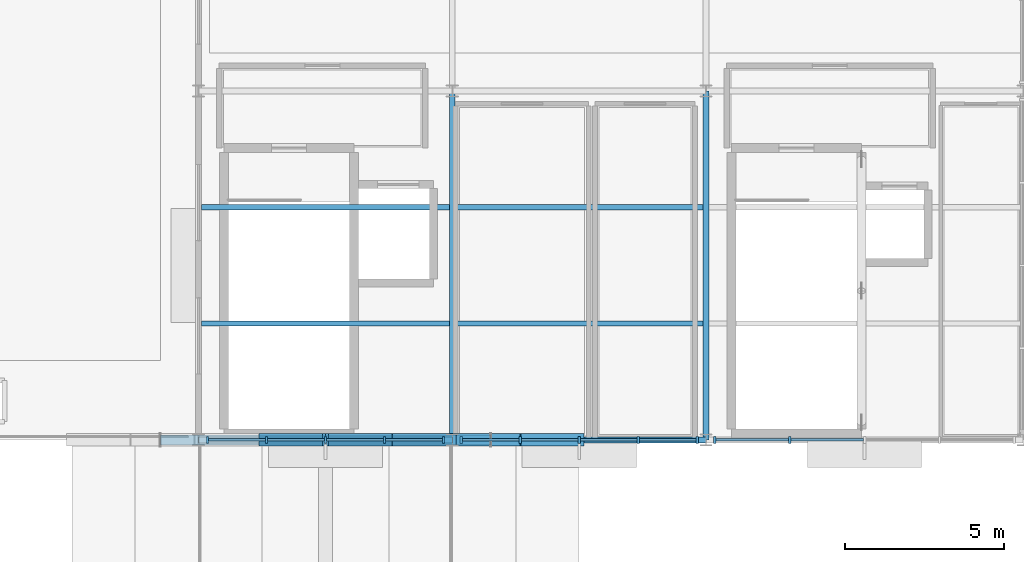
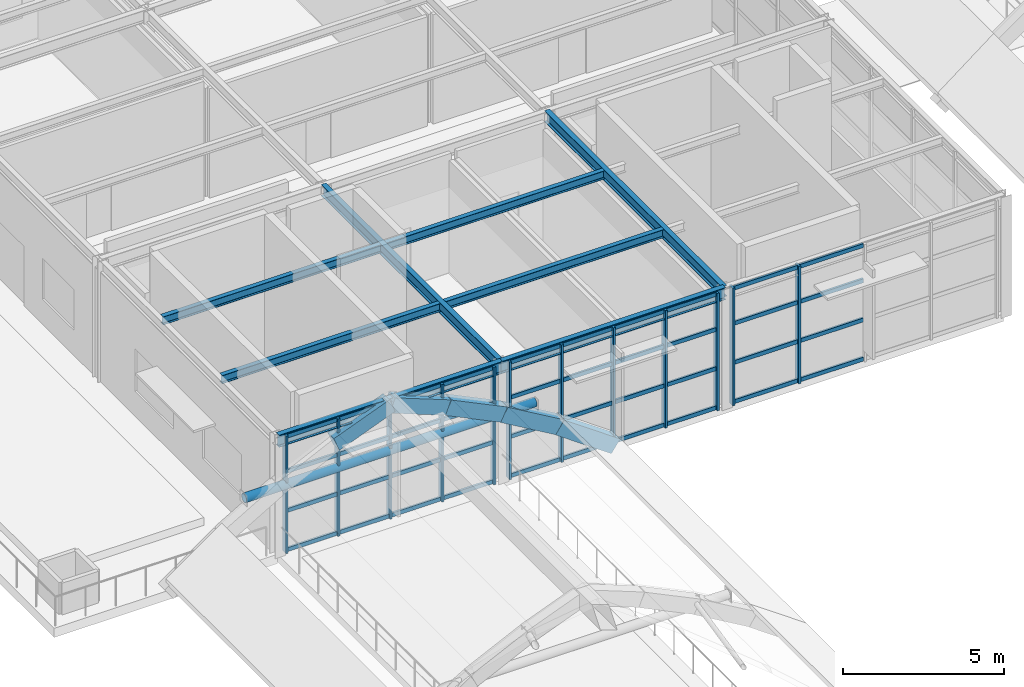
# One storey, part 27 of 82: 53 members, 13 beams, 3 elements without a shape of their own.
"""IFC4 building model written with IfcOpenShell, lengths in metres."""

from ifc_helpers import new_model, si_unit, direction, frame, origin, origin_2d, place, context, subcontext, project, spatial, rectangle, hollow_circle, i_section, extrude, material, layer, layer_set, material_profile, profile_set, type_object, element, aggregate, save


model = new_model("IFC4")

# Units and contexts
model_context = context("Model", 3, precision=1e-05, world=origin(), true_north=direction((0.0, 1.0)))
body_context = subcontext(model_context, "Body", "Model", "MODEL_VIEW")
ifc_project = project(units=[si_unit("LENGTHUNIT", "METRE"), si_unit("AREAUNIT", "SQUARE_METRE"), si_unit("VOLUMEUNIT", "CUBIC_METRE"), si_unit("PLANEANGLEUNIT", "RADIAN"), si_unit("MASSUNIT", "GRAM", prefix="KILO")], contexts=[model_context])

# Site, building, storey
site_placement = place(None, origin())
site = spatial("IfcSite", under=ifc_project, at=site_placement, CompositionType="ELEMENT")
building_placement = place(site_placement, origin())
building = spatial("IfcBuilding", under=site, at=building_placement, Name="Sitalva Quay Ferry Terminal", CompositionType="ELEMENT")
storey_placement = place(building_placement, frame((0.0, 0.0, 5.39990234375)))
storey = spatial("IfcBuildingStorey", under=building, at=storey_placement, Name="L02", CompositionType="ELEMENT", Elevation=5.39990234375)

# Beams
ifc_material_1 = material(Name="Concrete C40/50", Category="concrete")
ifc_material_profile_1 = material_profile(ifc_material_1, rectangle(XDim=0.39990234375, YDim=0.550048828125, at=origin_2d()), Name="RC400x550")
ifc_profile_set_1 = profile_set([ifc_material_profile_1], Name="Concrete C40/50")
beam_type_1 = type_object("IfcBeamType", Name="Beam_Arch_RC400x550", PredefinedType="BEAM", material=ifc_profile_set_1)
for number, where, z_axis, x_axis, name in (
    (1, (18.0, 78.0, 3.576416015625), (0.932111398116, 0.0, 0.362171701685), (0.0, 1.0, 0.0), "Vault V2 transverse arch rib 7.6"),
    (2, (20.0, 78.0, 4.353515625), (0.932111398116, 0.0, -0.362171701685), (0.0, 1.0, 0.0), "Vault V2 transverse arch rib 7.7"),
):
    element("IfcBeam", number, at=place(storey_placement, frame(where, z_axis=z_axis, x_axis=x_axis)), inside=storey, type_object=beam_type_1, Name=name, PredefinedType="BEAM", context=body_context, shape_type="SweptSolid", body=[
        extrude(rectangle(XDim=0.39990234375, YDim=0.550048828125, at=origin_2d()), origin(), (0.0, 0.0, 1.0), 2.145751953125),
    ])
beam_1_placement = place(storey_placement, frame((22.0, 78.0, 3.570556640625), z_axis=(0.901057393418, 0.0, -0.433699865997), x_axis=(0.0, 1.0, 0.0)))
element("IfcBeam", 3, at=beam_1_placement, inside=storey, type_object=beam_type_1, Name="Vault V2 transverse arch rib 7.8", PredefinedType="BEAM", context=body_context, shape_type="SweptSolid", body=[
    extrude(rectangle(XDim=0.39990234375, YDim=0.550048828125, at=origin_2d()), origin(), (0.0, 0.0, 1.0), 2.2197265625),
])
beam_2_placement = place(storey_placement, frame((24.0, 78.0, 2.60009765625), z_axis=(0.863029032245, 0.0, -0.505154322463), x_axis=(0.0, 1.0, 0.0)))
element("IfcBeam", 4, at=beam_2_placement, inside=storey, type_object=beam_type_1, Name="Vault V2 transverse arch rib 7.9", PredefinedType="BEAM", context=body_context, shape_type="SweptSolid", body=[
    extrude(rectangle(XDim=0.39990234375, YDim=0.550048828125, at=origin_2d()), origin(), (0.0, 0.0, 1.0), 2.3173828125),
])
beam_3_placement = place(storey_placement, frame((26.0, 78.0, 1.4189453125), z_axis=(0.816948516584, 0.0, -0.57671060442), x_axis=(0.0, 1.0, 0.0)))
element("IfcBeam", 5, at=beam_3_placement, inside=storey, type_object=beam_type_1, Name="Vault V2 transverse arch rib 7.10", PredefinedType="BEAM", context=body_context, shape_type="SweptSolid", body=[
    extrude(rectangle(XDim=0.39990234375, YDim=0.550048828125, at=origin_2d()), origin(), (0.0, 0.0, 1.0), 2.4482421875),
])
ifc_material_2 = material(Name="Structural Steel S355JR", Category="steel")
ifc_material_profile_2 = material_profile(ifc_material_2, i_section(OverallWidth=0.180908203125, OverallDepth=0.4169921875, WebThickness=0.010986328125, FlangeThickness=0.018310546875, FilletRadius=0.012939453125, at=origin_2d()), Name="W410x85")
ifc_profile_set_2 = profile_set([ifc_material_profile_2], Name="Structural Steel S355JR")
beam_type_2 = type_object("IfcBeamType", Name="Beam_W410x85", PredefinedType="BEAM", material=ifc_profile_set_2)
for number, where, z_axis, x_axis, name in (
    (6, (24.0, 78.0, 4.3515625), (0.0, 1.0, 0.0), (-1.0, 0.0, 0.0), "L02 Primary Y girder 0973"),
    (7, (32.0, 78.0, 4.3515625), (0.0, 1.0, 0.0), (-1.0, 0.0, 0.0), "L02 Primary Y girder 0976"),
):
    element("IfcBeam", number, at=place(storey_placement, frame(where, z_axis=z_axis, x_axis=x_axis)), inside=storey, type_object=beam_type_2, Name=name, PredefinedType="BEAM", context=body_context, shape_type="SweptSolid", body=[
        extrude(i_section(OverallWidth=0.180908203125, OverallDepth=0.4169921875, WebThickness=0.010986328125, FlangeThickness=0.018310546875, FilletRadius=0.012939453125, at=origin_2d()), origin(), (0.0, 0.0, 1.0), 11.0),
    ])
ifc_material_3 = material(Name="Structural Steel S355JR", Category="steel")
ifc_material_profile_3 = material_profile(ifc_material_3, i_section(OverallWidth=0.19091796875, OverallDepth=0.4599609375, WebThickness=0.010009765625, FlangeThickness=0.01611328125, FilletRadius=0.013916015625, at=origin_2d()), Name="W460x82")
ifc_profile_set_3 = profile_set([ifc_material_profile_3], Name="Structural Steel S355JR")
beam_type_3 = type_object("IfcBeamType", Name="Beam_W460x82", PredefinedType="BEAM", material=ifc_profile_set_3)
for number, where, z_axis, x_axis, name in (
    (8, (16.0, 78.0, 4.330078125), (1.0, 0.0, 0.0), (0.0, 1.0, 0.0), "L02 Primary X girder 0958"),
    (9, (24.0, 78.0, 4.330078125), (1.0, 0.0, 0.0), (0.0, 1.0, 0.0), "L02 Primary X girder 0959"),
):
    element("IfcBeam", number, at=place(storey_placement, frame(where, z_axis=z_axis, x_axis=x_axis)), inside=storey, type_object=beam_type_3, Name=name, PredefinedType="BEAM", context=body_context, shape_type="SweptSolid", body=[
        extrude(i_section(OverallWidth=0.19091796875, OverallDepth=0.4599609375, WebThickness=0.010009765625, FlangeThickness=0.01611328125, FilletRadius=0.013916015625, at=origin_2d()), origin(), (0.0, 0.0, 1.0), 8.0),
    ])
ifc_material_4 = material(Name="Structural Steel S355JR", Category="steel")
ifc_material_profile_4 = material_profile(ifc_material_4, i_section(OverallWidth=0.166015625, OverallDepth=0.31298828125, WebThickness=0.006591796875, FlangeThickness=0.01123046875, FilletRadius=0.010986328125, at=origin_2d()), Name="W310x45")
ifc_profile_set_4 = profile_set([ifc_material_profile_4], Name="Structural Steel S355JR")
beam_type_4 = type_object("IfcBeamType", Name="Joist_W310x45", PredefinedType="JOIST", material=ifc_profile_set_4)
for number, where, z_axis, x_axis, name in (
    (10, (16.090576171875, 81.666748046875, 4.403564453125), (1.0, 0.0, 0.0), (0.0, 1.0, 0.0), "L02 Secondary joist 0982"),
    (11, (24.090576171875, 81.666748046875, 4.403564453125), (1.0, 0.0, 0.0), (0.0, 1.0, 0.0), "L02 Secondary joist 0983"),
    (12, (16.090576171875, 85.333251953125, 4.403564453125), (1.0, 0.0, 0.0), (0.0, 1.0, 0.0), "L02 Secondary joist 0985"),
    (13, (24.090576171875, 85.333251953125, 4.403564453125), (1.0, 0.0, 0.0), (0.0, 1.0, 0.0), "L02 Secondary joist 0986"),
):
    element("IfcBeam", number, at=place(storey_placement, frame(where, z_axis=z_axis, x_axis=x_axis)), inside=storey, type_object=beam_type_4, Name=name, PredefinedType="JOIST", context=body_context, shape_type="SweptSolid", body=[
        extrude(i_section(OverallWidth=0.166015625, OverallDepth=0.31298828125, WebThickness=0.006591796875, FlangeThickness=0.01123046875, FilletRadius=0.010986328125, at=origin_2d()), origin(), (0.0, 0.0, 1.0), 7.81884765625),
    ])

# Curtain wall, members
ifc_material_5 = material(Name="Anodised Aluminium & Low-E Glazing", Category="aluminium")
ifc_layer = layer(ifc_material_5, 0.159912109375)
ifc_layer_set = layer_set([ifc_layer], Name="Anodised Aluminium & Low-E Glazing")
curtain_wall_type = type_object("IfcCurtainWallType", Name="CW_Office_Unitised", PredefinedType="USERDEFINED", material=ifc_layer_set)
curtain_wall_1_placement = place(storey_placement, origin())
curtain_wall_1 = element("IfcCurtainWall", 14, at=curtain_wall_1_placement, inside=storey, type_object=curtain_wall_type, Name="L02 west wing south courtyard glazing (CW-L02-106)", ObjectType="CURTAIN_WALL", PredefinedType="USERDEFINED")
ifc_material_6 = material(Name="Anodised Aluminium 6063-T6", Category="aluminium")
ifc_material_profile_5 = material_profile(ifc_material_6, rectangle(XDim=0.074951171875, YDim=0.219970703125, at=origin_2d()), Name="ALU75x220")
ifc_profile_set_5 = profile_set([ifc_material_profile_5], Name="Anodised Aluminium 6063-T6")
member_type_1 = type_object("IfcMemberType", Name="Mullion_Alu_75x160", PredefinedType="MULLION", material=ifc_profile_set_5)
member_1_placement = place(storey_placement, frame((16.280029296875, 78.0, 0.0), z_axis=(0.0, 0.0, 1.0), x_axis=(1.0, 0.0, 0.0)))
member_1 = element("IfcMember", 15, at=member_1_placement, type_object=member_type_1, Name="CW-L02-106-M0", PredefinedType="MULLION", context=body_context, shape_type="SweptSolid", body=[
    extrude(rectangle(XDim=0.074951171875, YDim=0.219970703125, at=origin_2d()), origin(), (0.0, 0.0, 1.0), 4.4501953125),
])
member_2_placement = place(storey_placement, frame((18.139892578125, 78.0, 0.0), z_axis=(0.0, 0.0, 1.0), x_axis=(1.0, 0.0, 0.0)))
member_2 = element("IfcMember", 16, at=member_2_placement, type_object=member_type_1, Name="CW-L02-106-M1", PredefinedType="MULLION", context=body_context, shape_type="SweptSolid", body=[
    extrude(rectangle(XDim=0.074951171875, YDim=0.219970703125, at=origin_2d()), origin(), (0.0, 0.0, 1.0), 4.4501953125),
])
member_3_placement = place(storey_placement, frame((20.0, 78.0, 0.0), z_axis=(0.0, 0.0, 1.0), x_axis=(1.0, 0.0, 0.0)))
member_3 = element("IfcMember", 17, at=member_3_placement, type_object=member_type_1, Name="CW-L02-106-M2", PredefinedType="MULLION", context=body_context, shape_type="SweptSolid", body=[
    extrude(rectangle(XDim=0.074951171875, YDim=0.219970703125, at=origin_2d()), origin(), (0.0, 0.0, 1.0), 4.4501953125),
])
member_4_placement = place(storey_placement, frame((21.860107421875, 78.0, 0.0), z_axis=(0.0, 0.0, 1.0), x_axis=(1.0, 0.0, 0.0)))
member_4 = element("IfcMember", 18, at=member_4_placement, type_object=member_type_1, Name="CW-L02-106-M3", PredefinedType="MULLION", context=body_context, shape_type="SweptSolid", body=[
    extrude(rectangle(XDim=0.074951171875, YDim=0.219970703125, at=origin_2d()), origin(), (0.0, 0.0, 1.0), 4.4501953125),
])
member_5_placement = place(storey_placement, frame((23.719970703125, 78.0, 0.0), z_axis=(0.0, 0.0, 1.0), x_axis=(1.0, 0.0, 0.0)))
member_5 = element("IfcMember", 19, at=member_5_placement, type_object=member_type_1, Name="CW-L02-106-M4", PredefinedType="MULLION", context=body_context, shape_type="SweptSolid", body=[
    extrude(rectangle(XDim=0.074951171875, YDim=0.219970703125, at=origin_2d()), origin(), (0.0, 0.0, 1.0), 4.4501953125),
])

curtain_wall_2_placement = place(storey_placement, origin())
curtain_wall_2 = element("IfcCurtainWall", 20, at=curtain_wall_2_placement, inside=storey, type_object=curtain_wall_type, Name="L02 west wing south courtyard glazing (CW-L02-107)", ObjectType="CURTAIN_WALL", PredefinedType="USERDEFINED")
member_6_placement = place(storey_placement, frame((24.280029296875, 78.0, 0.0), z_axis=(0.0, 0.0, 1.0), x_axis=(1.0, 0.0, 0.0)))
member_6 = element("IfcMember", 21, at=member_6_placement, type_object=member_type_1, Name="CW-L02-107-M0", PredefinedType="MULLION", context=body_context, shape_type="SweptSolid", body=[
    extrude(rectangle(XDim=0.074951171875, YDim=0.219970703125, at=origin_2d()), origin(), (0.0, 0.0, 1.0), 4.4501953125),
])
member_7_placement = place(storey_placement, frame((26.139892578125, 78.0, 0.0), z_axis=(0.0, 0.0, 1.0), x_axis=(1.0, 0.0, 0.0)))
member_7 = element("IfcMember", 22, at=member_7_placement, type_object=member_type_1, Name="CW-L02-107-M1", PredefinedType="MULLION", context=body_context, shape_type="SweptSolid", body=[
    extrude(rectangle(XDim=0.074951171875, YDim=0.219970703125, at=origin_2d()), origin(), (0.0, 0.0, 1.0), 4.4501953125),
])
member_8_placement = place(storey_placement, frame((28.0, 78.0, 0.0), z_axis=(0.0, 0.0, 1.0), x_axis=(1.0, 0.0, 0.0)))
member_8 = element("IfcMember", 23, at=member_8_placement, type_object=member_type_1, Name="CW-L02-107-M2", PredefinedType="MULLION", context=body_context, shape_type="SweptSolid", body=[
    extrude(rectangle(XDim=0.074951171875, YDim=0.219970703125, at=origin_2d()), origin(), (0.0, 0.0, 1.0), 4.4501953125),
])
member_9_placement = place(storey_placement, frame((29.860107421875, 78.0, 0.0), z_axis=(0.0, 0.0, 1.0), x_axis=(1.0, 0.0, 0.0)))
member_9 = element("IfcMember", 24, at=member_9_placement, type_object=member_type_1, Name="CW-L02-107-M3", PredefinedType="MULLION", context=body_context, shape_type="SweptSolid", body=[
    extrude(rectangle(XDim=0.074951171875, YDim=0.219970703125, at=origin_2d()), origin(), (0.0, 0.0, 1.0), 4.4501953125),
])
member_10_placement = place(storey_placement, frame((31.719970703125, 78.0, 0.0), z_axis=(0.0, 0.0, 1.0), x_axis=(1.0, 0.0, 0.0)))
member_10 = element("IfcMember", 25, at=member_10_placement, type_object=member_type_1, Name="CW-L02-107-M4", PredefinedType="MULLION", context=body_context, shape_type="SweptSolid", body=[
    extrude(rectangle(XDim=0.074951171875, YDim=0.219970703125, at=origin_2d()), origin(), (0.0, 0.0, 1.0), 4.4501953125),
])

curtain_wall_3_placement = place(storey_placement, origin())
curtain_wall_3 = element("IfcCurtainWall", 26, at=curtain_wall_3_placement, inside=storey, type_object=curtain_wall_type, Name="L02 west wing south courtyard glazing (CW-L02-108)", ObjectType="CURTAIN_WALL", PredefinedType="USERDEFINED")
member_11_placement = place(storey_placement, frame((32.280029296875, 78.0, 0.0), z_axis=(0.0, 0.0, 1.0), x_axis=(1.0, 0.0, 0.0)))
member_11 = element("IfcMember", 27, at=member_11_placement, type_object=member_type_1, Name="CW-L02-108-M0", PredefinedType="MULLION", context=body_context, shape_type="SweptSolid", body=[
    extrude(rectangle(XDim=0.074951171875, YDim=0.219970703125, at=origin_2d()), origin(), (0.0, 0.0, 1.0), 4.4501953125),
])
member_12_placement = place(storey_placement, frame((34.639892578125, 78.0, 0.0), z_axis=(0.0, 0.0, 1.0), x_axis=(1.0, 0.0, 0.0)))
member_12 = element("IfcMember", 28, at=member_12_placement, type_object=member_type_1, Name="CW-L02-108-M1", PredefinedType="MULLION", context=body_context, shape_type="SweptSolid", body=[
    extrude(rectangle(XDim=0.074951171875, YDim=0.219970703125, at=origin_2d()), origin(), (0.0, 0.0, 1.0), 4.4501953125),
])

# Member
ifc_material_7 = material(Name="Structural Steel S355JR", Category="steel")
ifc_material_profile_6 = material_profile(ifc_material_7, hollow_circle(Radius=0.161865234375, WallThickness=0.012451171875, at=origin_2d()), Name="CHS324x12.5")
ifc_profile_set_6 = profile_set([ifc_material_profile_6], Name="Structural Steel S355JR")
member_type_2 = type_object("IfcMemberType", Name="Strut_CHS324x12", PredefinedType="STRUT", material=ifc_profile_set_6)
member_13_placement = place(storey_placement, frame((14.800048828125, 78.0, 2.550048828125), z_axis=(1.0, 0.0, 0.0), x_axis=(0.0, 1.0, 0.0)))
element("IfcMember", 29, at=member_13_placement, inside=storey, type_object=member_type_2, Name="Vault V2 elevated arch collar tie 7", PredefinedType="STRUT", context=body_context, shape_type="SweptSolid", body=[
    extrude(hollow_circle(Radius=0.161865234375, WallThickness=0.012451171875, at=origin_2d()), origin(), (0.0, 0.0, 1.0), 10.39990234375),
])

ifc_material_8 = material(Name="Anodised Aluminium 6063-T6", Category="aluminium")
ifc_material_profile_7 = material_profile(ifc_material_8, rectangle(XDim=0.074951171875, YDim=0.14990234375, at=origin_2d()), Name="ALU75x150")
ifc_profile_set_7 = profile_set([ifc_material_profile_7], Name="Anodised Aluminium 6063-T6")
member_type_3 = type_object("IfcMemberType", Name="Transom_Alu_75x140", PredefinedType="MULLION", material=ifc_profile_set_7)
member_14_placement = place(storey_placement, frame((16.3173828125, 78.0, 0.0751953125), z_axis=(1.0, 0.0, 0.0), x_axis=(0.0, 1.0, 0.0)))
member_14 = element("IfcMember", 30, at=member_14_placement, type_object=member_type_3, Name="CW-L02-106-T0-0", ObjectType="TRANSOM", PredefinedType="USERDEFINED", context=body_context, shape_type="SweptSolid", body=[
    extrude(rectangle(XDim=0.074951171875, YDim=0.14990234375, at=origin_2d()), origin(), (0.0, 0.0, 1.0), 1.78515625),
])

member_15_placement = place(storey_placement, frame((16.3173828125, 78.0, 1.558349609375), z_axis=(1.0, 0.0, 0.0), x_axis=(0.0, 1.0, 0.0)))
member_15 = element("IfcMember", 31, at=member_15_placement, type_object=member_type_3, Name="CW-L02-106-T0-1", ObjectType="TRANSOM", PredefinedType="USERDEFINED", context=body_context, shape_type="SweptSolid", body=[
    extrude(rectangle(XDim=0.074951171875, YDim=0.14990234375, at=origin_2d()), origin(), (0.0, 0.0, 1.0), 1.78515625),
])

member_16_placement = place(storey_placement, frame((16.3173828125, 78.0, 3.041748046875), z_axis=(1.0, 0.0, 0.0), x_axis=(0.0, 1.0, 0.0)))
member_16 = element("IfcMember", 32, at=member_16_placement, type_object=member_type_3, Name="CW-L02-106-T0-2", ObjectType="TRANSOM", PredefinedType="USERDEFINED", context=body_context, shape_type="SweptSolid", body=[
    extrude(rectangle(XDim=0.074951171875, YDim=0.14990234375, at=origin_2d()), origin(), (0.0, 0.0, 1.0), 1.78515625),
])

member_17_placement = place(storey_placement, frame((16.3173828125, 78.0, 4.375), z_axis=(1.0, 0.0, 0.0), x_axis=(0.0, 1.0, 0.0)))
member_17 = element("IfcMember", 33, at=member_17_placement, type_object=member_type_3, Name="CW-L02-106-T0-3", ObjectType="TRANSOM", PredefinedType="USERDEFINED", context=body_context, shape_type="SweptSolid", body=[
    extrude(rectangle(XDim=0.074951171875, YDim=0.14990234375, at=origin_2d()), origin(), (0.0, 0.0, 1.0), 1.78515625),
])

member_18_placement = place(storey_placement, frame((18.177490234375, 78.0, 0.0751953125), z_axis=(1.0, 0.0, 0.0), x_axis=(0.0, 1.0, 0.0)))
member_18 = element("IfcMember", 34, at=member_18_placement, type_object=member_type_3, Name="CW-L02-106-T1-0", ObjectType="TRANSOM", PredefinedType="USERDEFINED", context=body_context, shape_type="SweptSolid", body=[
    extrude(rectangle(XDim=0.074951171875, YDim=0.14990234375, at=origin_2d()), origin(), (0.0, 0.0, 1.0), 1.784912109375),
])

member_19_placement = place(storey_placement, frame((18.177490234375, 78.0, 1.558349609375), z_axis=(1.0, 0.0, 0.0), x_axis=(0.0, 1.0, 0.0)))
member_19 = element("IfcMember", 35, at=member_19_placement, type_object=member_type_3, Name="CW-L02-106-T1-1", ObjectType="TRANSOM", PredefinedType="USERDEFINED", context=body_context, shape_type="SweptSolid", body=[
    extrude(rectangle(XDim=0.074951171875, YDim=0.14990234375, at=origin_2d()), origin(), (0.0, 0.0, 1.0), 1.784912109375),
])

member_20_placement = place(storey_placement, frame((18.177490234375, 78.0, 3.041748046875), z_axis=(1.0, 0.0, 0.0), x_axis=(0.0, 1.0, 0.0)))
member_20 = element("IfcMember", 36, at=member_20_placement, type_object=member_type_3, Name="CW-L02-106-T1-2", ObjectType="TRANSOM", PredefinedType="USERDEFINED", context=body_context, shape_type="SweptSolid", body=[
    extrude(rectangle(XDim=0.074951171875, YDim=0.14990234375, at=origin_2d()), origin(), (0.0, 0.0, 1.0), 1.784912109375),
])

member_21_placement = place(storey_placement, frame((18.177490234375, 78.0, 4.375), z_axis=(1.0, 0.0, 0.0), x_axis=(0.0, 1.0, 0.0)))
member_21 = element("IfcMember", 37, at=member_21_placement, type_object=member_type_3, Name="CW-L02-106-T1-3", ObjectType="TRANSOM", PredefinedType="USERDEFINED", context=body_context, shape_type="SweptSolid", body=[
    extrude(rectangle(XDim=0.074951171875, YDim=0.14990234375, at=origin_2d()), origin(), (0.0, 0.0, 1.0), 1.784912109375),
])

member_22_placement = place(storey_placement, frame((20.03759765625, 78.0, 0.0751953125), z_axis=(1.0, 0.0, 0.0), x_axis=(0.0, 1.0, 0.0)))
member_22 = element("IfcMember", 38, at=member_22_placement, type_object=member_type_3, Name="CW-L02-106-T2-0", ObjectType="TRANSOM", PredefinedType="USERDEFINED", context=body_context, shape_type="SweptSolid", body=[
    extrude(rectangle(XDim=0.074951171875, YDim=0.14990234375, at=origin_2d()), origin(), (0.0, 0.0, 1.0), 1.784912109375),
])

member_23_placement = place(storey_placement, frame((20.03759765625, 78.0, 1.558349609375), z_axis=(1.0, 0.0, 0.0), x_axis=(0.0, 1.0, 0.0)))
member_23 = element("IfcMember", 39, at=member_23_placement, type_object=member_type_3, Name="CW-L02-106-T2-1", ObjectType="TRANSOM", PredefinedType="USERDEFINED", context=body_context, shape_type="SweptSolid", body=[
    extrude(rectangle(XDim=0.074951171875, YDim=0.14990234375, at=origin_2d()), origin(), (0.0, 0.0, 1.0), 1.784912109375),
])

member_24_placement = place(storey_placement, frame((20.03759765625, 78.0, 3.041748046875), z_axis=(1.0, 0.0, 0.0), x_axis=(0.0, 1.0, 0.0)))
member_24 = element("IfcMember", 40, at=member_24_placement, type_object=member_type_3, Name="CW-L02-106-T2-2", ObjectType="TRANSOM", PredefinedType="USERDEFINED", context=body_context, shape_type="SweptSolid", body=[
    extrude(rectangle(XDim=0.074951171875, YDim=0.14990234375, at=origin_2d()), origin(), (0.0, 0.0, 1.0), 1.784912109375),
])

member_25_placement = place(storey_placement, frame((20.03759765625, 78.0, 4.375), z_axis=(1.0, 0.0, 0.0), x_axis=(0.0, 1.0, 0.0)))
member_25 = element("IfcMember", 41, at=member_25_placement, type_object=member_type_3, Name="CW-L02-106-T2-3", ObjectType="TRANSOM", PredefinedType="USERDEFINED", context=body_context, shape_type="SweptSolid", body=[
    extrude(rectangle(XDim=0.074951171875, YDim=0.14990234375, at=origin_2d()), origin(), (0.0, 0.0, 1.0), 1.784912109375),
])

member_26_placement = place(storey_placement, frame((21.8974609375, 78.0, 0.0751953125), z_axis=(1.0, 0.0, 0.0), x_axis=(0.0, 1.0, 0.0)))
member_26 = element("IfcMember", 42, at=member_26_placement, type_object=member_type_3, Name="CW-L02-106-T3-0", ObjectType="TRANSOM", PredefinedType="USERDEFINED", context=body_context, shape_type="SweptSolid", body=[
    extrude(rectangle(XDim=0.074951171875, YDim=0.14990234375, at=origin_2d()), origin(), (0.0, 0.0, 1.0), 1.78515625),
])

member_27_placement = place(storey_placement, frame((21.8974609375, 78.0, 1.558349609375), z_axis=(1.0, 0.0, 0.0), x_axis=(0.0, 1.0, 0.0)))
member_27 = element("IfcMember", 43, at=member_27_placement, type_object=member_type_3, Name="CW-L02-106-T3-1", ObjectType="TRANSOM", PredefinedType="USERDEFINED", context=body_context, shape_type="SweptSolid", body=[
    extrude(rectangle(XDim=0.074951171875, YDim=0.14990234375, at=origin_2d()), origin(), (0.0, 0.0, 1.0), 1.78515625),
])

member_28_placement = place(storey_placement, frame((21.8974609375, 78.0, 3.041748046875), z_axis=(1.0, 0.0, 0.0), x_axis=(0.0, 1.0, 0.0)))
member_28 = element("IfcMember", 44, at=member_28_placement, type_object=member_type_3, Name="CW-L02-106-T3-2", ObjectType="TRANSOM", PredefinedType="USERDEFINED", context=body_context, shape_type="SweptSolid", body=[
    extrude(rectangle(XDim=0.074951171875, YDim=0.14990234375, at=origin_2d()), origin(), (0.0, 0.0, 1.0), 1.78515625),
])

member_29_placement = place(storey_placement, frame((21.8974609375, 78.0, 4.375), z_axis=(1.0, 0.0, 0.0), x_axis=(0.0, 1.0, 0.0)))
member_29 = element("IfcMember", 45, at=member_29_placement, type_object=member_type_3, Name="CW-L02-106-T3-3", ObjectType="TRANSOM", PredefinedType="USERDEFINED", context=body_context, shape_type="SweptSolid", body=[
    extrude(rectangle(XDim=0.074951171875, YDim=0.14990234375, at=origin_2d()), origin(), (0.0, 0.0, 1.0), 1.78515625),
])

aggregate(curtain_wall_1, [member_1, member_2, member_3, member_4, member_5, member_14, member_15, member_16, member_17, member_18, member_19, member_20, member_21, member_22, member_23, member_24, member_25, member_26, member_27, member_28, member_29])

member_30_placement = place(storey_placement, frame((24.3173828125, 78.0, 0.0751953125), z_axis=(1.0, 0.0, 0.0), x_axis=(0.0, 1.0, 0.0)))
member_30 = element("IfcMember", 46, at=member_30_placement, type_object=member_type_3, Name="CW-L02-107-T0-0", ObjectType="TRANSOM", PredefinedType="USERDEFINED", context=body_context, shape_type="SweptSolid", body=[
    extrude(rectangle(XDim=0.074951171875, YDim=0.14990234375, at=origin_2d()), origin(), (0.0, 0.0, 1.0), 1.78515625),
])

member_31_placement = place(storey_placement, frame((24.3173828125, 78.0, 1.558349609375), z_axis=(1.0, 0.0, 0.0), x_axis=(0.0, 1.0, 0.0)))
member_31 = element("IfcMember", 47, at=member_31_placement, type_object=member_type_3, Name="CW-L02-107-T0-1", ObjectType="TRANSOM", PredefinedType="USERDEFINED", context=body_context, shape_type="SweptSolid", body=[
    extrude(rectangle(XDim=0.074951171875, YDim=0.14990234375, at=origin_2d()), origin(), (0.0, 0.0, 1.0), 1.78515625),
])

member_32_placement = place(storey_placement, frame((24.3173828125, 78.0, 3.041748046875), z_axis=(1.0, 0.0, 0.0), x_axis=(0.0, 1.0, 0.0)))
member_32 = element("IfcMember", 48, at=member_32_placement, type_object=member_type_3, Name="CW-L02-107-T0-2", ObjectType="TRANSOM", PredefinedType="USERDEFINED", context=body_context, shape_type="SweptSolid", body=[
    extrude(rectangle(XDim=0.074951171875, YDim=0.14990234375, at=origin_2d()), origin(), (0.0, 0.0, 1.0), 1.78515625),
])

member_33_placement = place(storey_placement, frame((24.3173828125, 78.0, 4.375), z_axis=(1.0, 0.0, 0.0), x_axis=(0.0, 1.0, 0.0)))
member_33 = element("IfcMember", 49, at=member_33_placement, type_object=member_type_3, Name="CW-L02-107-T0-3", ObjectType="TRANSOM", PredefinedType="USERDEFINED", context=body_context, shape_type="SweptSolid", body=[
    extrude(rectangle(XDim=0.074951171875, YDim=0.14990234375, at=origin_2d()), origin(), (0.0, 0.0, 1.0), 1.78515625),
])

member_34_placement = place(storey_placement, frame((26.177490234375, 78.0, 0.0751953125), z_axis=(1.0, 0.0, 0.0), x_axis=(0.0, 1.0, 0.0)))
member_34 = element("IfcMember", 50, at=member_34_placement, type_object=member_type_3, Name="CW-L02-107-T1-0", ObjectType="TRANSOM", PredefinedType="USERDEFINED", context=body_context, shape_type="SweptSolid", body=[
    extrude(rectangle(XDim=0.074951171875, YDim=0.14990234375, at=origin_2d()), origin(), (0.0, 0.0, 1.0), 1.784912109375),
])

member_35_placement = place(storey_placement, frame((26.177490234375, 78.0, 1.558349609375), z_axis=(1.0, 0.0, 0.0), x_axis=(0.0, 1.0, 0.0)))
member_35 = element("IfcMember", 51, at=member_35_placement, type_object=member_type_3, Name="CW-L02-107-T1-1", ObjectType="TRANSOM", PredefinedType="USERDEFINED", context=body_context, shape_type="SweptSolid", body=[
    extrude(rectangle(XDim=0.074951171875, YDim=0.14990234375, at=origin_2d()), origin(), (0.0, 0.0, 1.0), 1.784912109375),
])

member_36_placement = place(storey_placement, frame((26.177490234375, 78.0, 3.041748046875), z_axis=(1.0, 0.0, 0.0), x_axis=(0.0, 1.0, 0.0)))
member_36 = element("IfcMember", 52, at=member_36_placement, type_object=member_type_3, Name="CW-L02-107-T1-2", ObjectType="TRANSOM", PredefinedType="USERDEFINED", context=body_context, shape_type="SweptSolid", body=[
    extrude(rectangle(XDim=0.074951171875, YDim=0.14990234375, at=origin_2d()), origin(), (0.0, 0.0, 1.0), 1.784912109375),
])

member_37_placement = place(storey_placement, frame((26.177490234375, 78.0, 4.375), z_axis=(1.0, 0.0, 0.0), x_axis=(0.0, 1.0, 0.0)))
member_37 = element("IfcMember", 53, at=member_37_placement, type_object=member_type_3, Name="CW-L02-107-T1-3", ObjectType="TRANSOM", PredefinedType="USERDEFINED", context=body_context, shape_type="SweptSolid", body=[
    extrude(rectangle(XDim=0.074951171875, YDim=0.14990234375, at=origin_2d()), origin(), (0.0, 0.0, 1.0), 1.784912109375),
])

member_38_placement = place(storey_placement, frame((28.03759765625, 78.0, 0.0751953125), z_axis=(1.0, 0.0, 0.0), x_axis=(0.0, 1.0, 0.0)))
member_38 = element("IfcMember", 54, at=member_38_placement, type_object=member_type_3, Name="CW-L02-107-T2-0", ObjectType="TRANSOM", PredefinedType="USERDEFINED", context=body_context, shape_type="SweptSolid", body=[
    extrude(rectangle(XDim=0.074951171875, YDim=0.14990234375, at=origin_2d()), origin(), (0.0, 0.0, 1.0), 1.784912109375),
])

member_39_placement = place(storey_placement, frame((28.03759765625, 78.0, 1.558349609375), z_axis=(1.0, 0.0, 0.0), x_axis=(0.0, 1.0, 0.0)))
member_39 = element("IfcMember", 55, at=member_39_placement, type_object=member_type_3, Name="CW-L02-107-T2-1", ObjectType="TRANSOM", PredefinedType="USERDEFINED", context=body_context, shape_type="SweptSolid", body=[
    extrude(rectangle(XDim=0.074951171875, YDim=0.14990234375, at=origin_2d()), origin(), (0.0, 0.0, 1.0), 1.784912109375),
])

member_40_placement = place(storey_placement, frame((28.03759765625, 78.0, 3.041748046875), z_axis=(1.0, 0.0, 0.0), x_axis=(0.0, 1.0, 0.0)))
member_40 = element("IfcMember", 56, at=member_40_placement, type_object=member_type_3, Name="CW-L02-107-T2-2", ObjectType="TRANSOM", PredefinedType="USERDEFINED", context=body_context, shape_type="SweptSolid", body=[
    extrude(rectangle(XDim=0.074951171875, YDim=0.14990234375, at=origin_2d()), origin(), (0.0, 0.0, 1.0), 1.784912109375),
])

member_41_placement = place(storey_placement, frame((28.03759765625, 78.0, 4.375), z_axis=(1.0, 0.0, 0.0), x_axis=(0.0, 1.0, 0.0)))
member_41 = element("IfcMember", 57, at=member_41_placement, type_object=member_type_3, Name="CW-L02-107-T2-3", ObjectType="TRANSOM", PredefinedType="USERDEFINED", context=body_context, shape_type="SweptSolid", body=[
    extrude(rectangle(XDim=0.074951171875, YDim=0.14990234375, at=origin_2d()), origin(), (0.0, 0.0, 1.0), 1.784912109375),
])

member_42_placement = place(storey_placement, frame((29.8974609375, 78.0, 0.0751953125), z_axis=(1.0, 0.0, 0.0), x_axis=(0.0, 1.0, 0.0)))
member_42 = element("IfcMember", 58, at=member_42_placement, type_object=member_type_3, Name="CW-L02-107-T3-0", ObjectType="TRANSOM", PredefinedType="USERDEFINED", context=body_context, shape_type="SweptSolid", body=[
    extrude(rectangle(XDim=0.074951171875, YDim=0.14990234375, at=origin_2d()), origin(), (0.0, 0.0, 1.0), 1.78515625),
])

member_43_placement = place(storey_placement, frame((29.8974609375, 78.0, 1.558349609375), z_axis=(1.0, 0.0, 0.0), x_axis=(0.0, 1.0, 0.0)))
member_43 = element("IfcMember", 59, at=member_43_placement, type_object=member_type_3, Name="CW-L02-107-T3-1", ObjectType="TRANSOM", PredefinedType="USERDEFINED", context=body_context, shape_type="SweptSolid", body=[
    extrude(rectangle(XDim=0.074951171875, YDim=0.14990234375, at=origin_2d()), origin(), (0.0, 0.0, 1.0), 1.78515625),
])

member_44_placement = place(storey_placement, frame((29.8974609375, 78.0, 3.041748046875), z_axis=(1.0, 0.0, 0.0), x_axis=(0.0, 1.0, 0.0)))
member_44 = element("IfcMember", 60, at=member_44_placement, type_object=member_type_3, Name="CW-L02-107-T3-2", ObjectType="TRANSOM", PredefinedType="USERDEFINED", context=body_context, shape_type="SweptSolid", body=[
    extrude(rectangle(XDim=0.074951171875, YDim=0.14990234375, at=origin_2d()), origin(), (0.0, 0.0, 1.0), 1.78515625),
])

member_45_placement = place(storey_placement, frame((29.8974609375, 78.0, 4.375), z_axis=(1.0, 0.0, 0.0), x_axis=(0.0, 1.0, 0.0)))
member_45 = element("IfcMember", 61, at=member_45_placement, type_object=member_type_3, Name="CW-L02-107-T3-3", ObjectType="TRANSOM", PredefinedType="USERDEFINED", context=body_context, shape_type="SweptSolid", body=[
    extrude(rectangle(XDim=0.074951171875, YDim=0.14990234375, at=origin_2d()), origin(), (0.0, 0.0, 1.0), 1.78515625),
])

aggregate(curtain_wall_2, [member_6, member_7, member_8, member_9, member_10, member_30, member_31, member_32, member_33, member_34, member_35, member_36, member_37, member_38, member_39, member_40, member_41, member_42, member_43, member_44, member_45])

member_46_placement = place(storey_placement, frame((32.3173828125, 78.0, 0.0751953125), z_axis=(1.0, 0.0, 0.0), x_axis=(0.0, 1.0, 0.0)))
member_46 = element("IfcMember", 62, at=member_46_placement, type_object=member_type_3, Name="CW-L02-108-T0-0", ObjectType="TRANSOM", PredefinedType="USERDEFINED", context=body_context, shape_type="SweptSolid", body=[
    extrude(rectangle(XDim=0.074951171875, YDim=0.14990234375, at=origin_2d()), origin(), (0.0, 0.0, 1.0), 2.28515625),
])

member_47_placement = place(storey_placement, frame((32.3173828125, 78.0, 1.558349609375), z_axis=(1.0, 0.0, 0.0), x_axis=(0.0, 1.0, 0.0)))
member_47 = element("IfcMember", 63, at=member_47_placement, type_object=member_type_3, Name="CW-L02-108-T0-1", ObjectType="TRANSOM", PredefinedType="USERDEFINED", context=body_context, shape_type="SweptSolid", body=[
    extrude(rectangle(XDim=0.074951171875, YDim=0.14990234375, at=origin_2d()), origin(), (0.0, 0.0, 1.0), 2.28515625),
])

member_48_placement = place(storey_placement, frame((32.3173828125, 78.0, 3.041748046875), z_axis=(1.0, 0.0, 0.0), x_axis=(0.0, 1.0, 0.0)))
member_48 = element("IfcMember", 64, at=member_48_placement, type_object=member_type_3, Name="CW-L02-108-T0-2", ObjectType="TRANSOM", PredefinedType="USERDEFINED", context=body_context, shape_type="SweptSolid", body=[
    extrude(rectangle(XDim=0.074951171875, YDim=0.14990234375, at=origin_2d()), origin(), (0.0, 0.0, 1.0), 2.28515625),
])

member_49_placement = place(storey_placement, frame((32.3173828125, 78.0, 4.375), z_axis=(1.0, 0.0, 0.0), x_axis=(0.0, 1.0, 0.0)))
member_49 = element("IfcMember", 65, at=member_49_placement, type_object=member_type_3, Name="CW-L02-108-T0-3", ObjectType="TRANSOM", PredefinedType="USERDEFINED", context=body_context, shape_type="SweptSolid", body=[
    extrude(rectangle(XDim=0.074951171875, YDim=0.14990234375, at=origin_2d()), origin(), (0.0, 0.0, 1.0), 2.28515625),
])

member_50_placement = place(storey_placement, frame((34.677490234375, 78.0, 0.0751953125), z_axis=(1.0, 0.0, 0.0), x_axis=(0.0, 1.0, 0.0)))
member_50 = element("IfcMember", 66, at=member_50_placement, type_object=member_type_3, Name="CW-L02-108-T1-0", ObjectType="TRANSOM", PredefinedType="USERDEFINED", context=body_context, shape_type="SweptSolid", body=[
    extrude(rectangle(XDim=0.074951171875, YDim=0.14990234375, at=origin_2d()), origin(), (0.0, 0.0, 1.0), 2.284912109375),
])

member_51_placement = place(storey_placement, frame((34.677490234375, 78.0, 1.558349609375), z_axis=(1.0, 0.0, 0.0), x_axis=(0.0, 1.0, 0.0)))
member_51 = element("IfcMember", 67, at=member_51_placement, type_object=member_type_3, Name="CW-L02-108-T1-1", ObjectType="TRANSOM", PredefinedType="USERDEFINED", context=body_context, shape_type="SweptSolid", body=[
    extrude(rectangle(XDim=0.074951171875, YDim=0.14990234375, at=origin_2d()), origin(), (0.0, 0.0, 1.0), 2.284912109375),
])

member_52_placement = place(storey_placement, frame((34.677490234375, 78.0, 3.041748046875), z_axis=(1.0, 0.0, 0.0), x_axis=(0.0, 1.0, 0.0)))
member_52 = element("IfcMember", 68, at=member_52_placement, type_object=member_type_3, Name="CW-L02-108-T1-2", ObjectType="TRANSOM", PredefinedType="USERDEFINED", context=body_context, shape_type="SweptSolid", body=[
    extrude(rectangle(XDim=0.074951171875, YDim=0.14990234375, at=origin_2d()), origin(), (0.0, 0.0, 1.0), 2.284912109375),
])

member_53_placement = place(storey_placement, frame((34.677490234375, 78.0, 4.375), z_axis=(1.0, 0.0, 0.0), x_axis=(0.0, 1.0, 0.0)))
member_53 = element("IfcMember", 69, at=member_53_placement, type_object=member_type_3, Name="CW-L02-108-T1-3", ObjectType="TRANSOM", PredefinedType="USERDEFINED", context=body_context, shape_type="SweptSolid", body=[
    extrude(rectangle(XDim=0.074951171875, YDim=0.14990234375, at=origin_2d()), origin(), (0.0, 0.0, 1.0), 2.284912109375),
])

aggregate(curtain_wall_3, [member_11, member_12, member_46, member_47, member_48, member_49, member_50, member_51, member_52, member_53])

save(model, "model.ifc")
